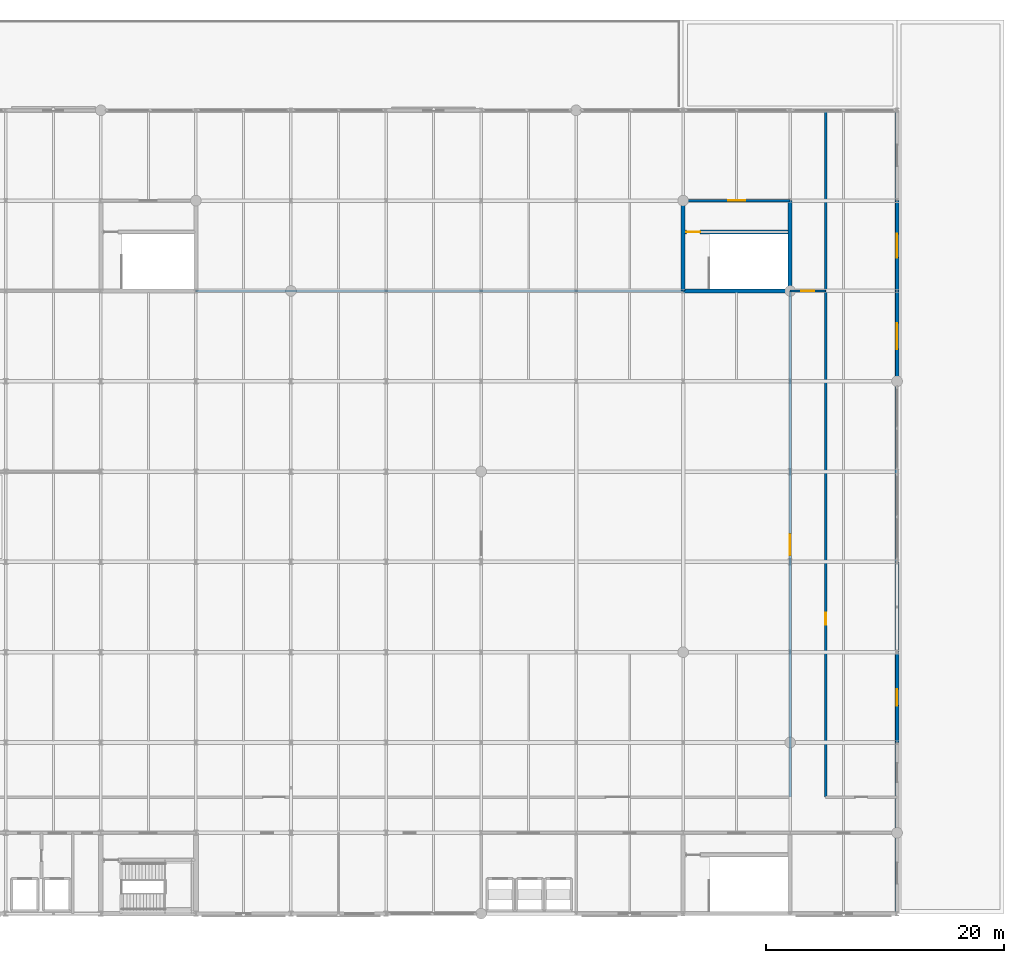
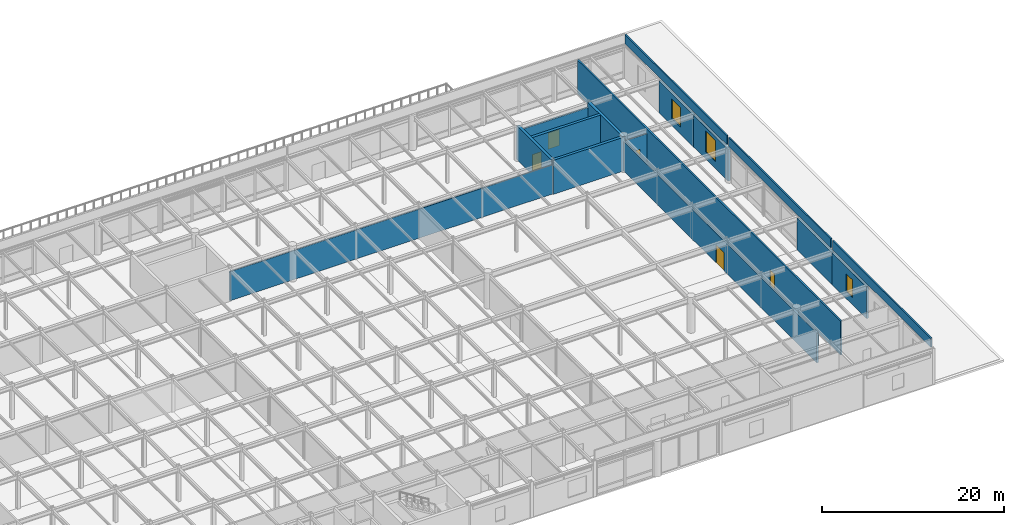
# One storey, part 38 of 43: 16 walls, 5 doors, 3 windows, 8 openings.
"""IFC4 building model written with IfcOpenShell, lengths in metres."""

from ifc_helpers import new_model, si_unit, direction, frame, frame_2d, origin, place, context, subcontext, project, spatial, rectangle, extrude, material, layer, layer_set, type_object, element, fill, save


model = new_model("IFC4")

# Units and contexts
model_context = context("Model", 3, precision=1e-05, world=origin(), true_north=direction((0.0, 1.0)))
body_context = subcontext(model_context, "Body", "Model", "MODEL_VIEW")
ifc_project = project(units=[si_unit("LENGTHUNIT", "METRE"), si_unit("AREAUNIT", "SQUARE_METRE"), si_unit("VOLUMEUNIT", "CUBIC_METRE"), si_unit("PLANEANGLEUNIT", "RADIAN"), si_unit("MASSUNIT", "GRAM", prefix="KILO")], contexts=[model_context])

# Site, building, storey
site_placement = place(None, origin())
site = spatial("IfcSite", under=ifc_project, at=site_placement, CompositionType="ELEMENT")
building_placement = place(site_placement, origin())
building = spatial("IfcBuilding", under=site, at=building_placement, Name="Shalkamar Park Central Library", CompositionType="ELEMENT")
storey_placement = place(building_placement, frame((0.0, 0.0, 15.60009765625)))
storey = spatial("IfcBuildingStorey", under=building, at=storey_placement, Name="L04", CompositionType="ELEMENT", Elevation=15.60009765625)

# Wall
ifc_material_1 = material(Name="Acoustic insulated reading partition", Category="masonry")
ifc_layer_1 = layer(ifc_material_1, 0.139892578125)
ifc_layer_set_1 = layer_set([ifc_layer_1], Name="AcousticPartition_140")
wall_type_1 = type_object("IfcWallType", Name="Acoustic Partition 140", PredefinedType="PARTITIONING", material=ifc_layer_set_1)
wall_1_placement = place(storey_placement, frame((205.0, 300.800048828125, 0.0), z_axis=(0.0, 0.0, 1.0), x_axis=(1.0, 0.0, 0.0)))
element("IfcWall", 1, at=wall_1_placement, inside=storey, type_object=wall_type_1, Name="Interior Partition WL-INT-L04-025-S2", PredefinedType="PARTITIONING", context=body_context, shape_type="SweptSolid", body=[
    extrude(rectangle(XDim=41.0, YDim=0.139892578125, at=frame_2d((20.5, 0.0))), origin(), (0.0, 0.0, 1.0), 3.89794921875),
])

# Wall, opening, door
wall_2_placement = place(storey_placement, frame((255.0, 300.800048828125, 0.0), z_axis=(0.0, 0.0, 1.0), x_axis=(1.0, 0.0, 0.0)))
wall_2 = element("IfcWall", 2, at=wall_2_placement, inside=storey, type_object=wall_type_1, Name="Interior Partition WL-INT-L04-025-S3", PredefinedType="PARTITIONING", context=body_context, shape_type="SweptSolid", body=[
    extrude(rectangle(XDim=3.0, YDim=0.139892578125, at=frame_2d((1.5, 0.0))), origin(), (0.0, 0.0, 1.0), 3.89794921875),
])
opening_1_placement = place(wall_2_placement, frame((0.949951171875, 0.0, 0.0)))
opening_1 = element("IfcOpeningElement", 3, at=opening_1_placement, cuts=wall_2, Name="Opening DR-L04-028", PredefinedType="OPENING", context=body_context, shape_type="SweptSolid", body=[
    extrude(rectangle(XDim=1.10009765625, YDim=2.10009765625, at=frame_2d((0.550048828125, 1.050048828125))), frame((0.0, 0.0849609375, 0.0), z_axis=(0.0, -1.0, 0.0), x_axis=(1.0, 0.0, 0.0)), (0.0, 0.0, 1.0), 0.169677734375),
])
ifc_material_2 = material(Name="Steel S355", Category="steel")
door_type_1 = type_object("IfcDoorType", Name="Interior Door Single 1100x2100", OperationType="NOTDEFINED", PredefinedType="DOOR", material=ifc_material_2)
door_1_placement = place(opening_1_placement, origin())
door_1 = element("IfcDoor", 4, at=door_1_placement, inside=storey, type_object=door_type_1, Name="East Corridor Terrace Link", OperationType="SINGLE_SWING_LEFT", OverallHeight=2.10009765625, OverallWidth=1.10009765625, PredefinedType="DOOR", context=body_context, shape_type="SweptSolid", body=[
    extrude(rectangle(XDim=1.10009765625, YDim=2.10009765625, at=frame_2d((0.550048828125, 1.050048828125))), frame((0.0, 0.02490234375, 0.0), z_axis=(0.0, -1.0, 0.0), x_axis=(1.0, 0.0, 0.0)), (0.0, 0.0, 1.0), 0.050048828125),
])
fill(opening_1, door_1)

ifc_material_3 = material(Name="Fire-rated corridor partition wall", Category="masonry")
ifc_layer_2 = layer(ifc_material_3, 0.199951171875)
ifc_layer_set_2 = layer_set([ifc_layer_2], Name="CorridorFireWall_200")
wall_type_2 = type_object("IfcWallType", Name="Corridor Fire Wall 200", PredefinedType="PARTITIONING", material=ifc_layer_set_2)
wall_3_placement = place(storey_placement, frame((246.0, 308.39990234375, 0.0), z_axis=(0.0, 0.0, 1.0), x_axis=(1.0, 0.0, 0.0)))
wall_3 = element("IfcWall", 5, at=wall_3_placement, inside=storey, type_object=wall_type_2, Name="CORE-P4 Vestibule North Wall (L04)", PredefinedType="PARTITIONING", context=body_context, shape_type="SweptSolid", body=[
    extrude(rectangle(XDim=9.0, YDim=0.199951171875, at=frame_2d((4.5, 0.0))), origin(), (0.0, 0.0, 1.0), 3.89794921875),
])
opening_2_placement = place(wall_3_placement, frame((3.77490234375, 0.0, 0.0)))
opening_2 = element("IfcOpeningElement", 6, at=opening_2_placement, cuts=wall_3, Name="Opening DR-ST-P4-L04-VEST", PredefinedType="OPENING", context=body_context, shape_type="SweptSolid", body=[
    extrude(rectangle(XDim=1.449951171875, YDim=2.199951171875, at=frame_2d((0.72509765625, 1.10009765625))), frame((0.0, 0.11474609375, 0.0), z_axis=(0.0, -1.0, 0.0), x_axis=(1.0, 0.0, 0.0)), (0.0, 0.0, 1.0), 0.229736328125),
])
door_type_2 = type_object("IfcDoorType", Name="Stair Vestibule Door 1450x2200", OperationType="DOUBLE_DOOR_SINGLE_SWING", PredefinedType="DOOR", material=ifc_material_2)
door_2_placement = place(opening_2_placement, frame((1.449951171875, 0.0, 0.0), z_axis=(0.0, 0.0, 1.0), x_axis=(-1.0, 0.0, 0.0)))
door_2 = element("IfcDoor", 7, at=door_2_placement, inside=storey, type_object=door_type_2, Name="Protected Stair ST-P4 Vestibule Door (L04)", OperationType="DOUBLE_DOOR_SINGLE_SWING", OverallHeight=2.199951171875, OverallWidth=1.449951171875, PredefinedType="DOOR", context=body_context, shape_type="SweptSolid", body=[
    extrude(rectangle(XDim=1.449951171875, YDim=2.199951171875, at=frame_2d((0.72509765625, 1.10009765625))), frame((0.0, 0.02490234375, 0.0), z_axis=(0.0, -1.0, 0.0), x_axis=(1.0, 0.0, 0.0)), (0.0, 0.0, 1.0), 0.050048828125),
])
fill(opening_2, door_2)

wall_4_placement = place(storey_placement, frame((255.0, 258.199951171875, 0.0), z_axis=(0.0, 0.0, 1.0), x_axis=(0.0, 1.0, 0.0)))
wall_4 = element("IfcWall", 8, at=wall_4_placement, inside=storey, type_object=wall_type_2, Name="Interior Partition WL-INT-L04-022", PredefinedType="PARTITIONING", context=body_context, shape_type="SweptSolid", body=[
    extrude(rectangle(XDim=42.60009765625, YDim=0.199951171875, at=frame_2d((21.300048828125, 0.0))), origin(), (0.0, 0.0, 1.0), 3.997802734375),
])
opening_3_placement = place(wall_4_placement, frame((20.340087890625, 0.0, 0.0)))
opening_3 = element("IfcOpeningElement", 9, at=opening_3_placement, cuts=wall_4, Name="Opening DR-L04-023", PredefinedType="OPENING", context=body_context, shape_type="SweptSolid", body=[
    extrude(rectangle(XDim=1.800048828125, YDim=2.39990234375, at=frame_2d((0.89990234375, 1.199951171875))), frame((0.0, 0.11474609375, 0.0), z_axis=(0.0, -1.0, 0.0), x_axis=(1.0, 0.0, 0.0)), (0.0, 0.0, 1.0), 0.229736328125),
])
door_type_3 = type_object("IfcDoorType", Name="Interior Door Double 1800x2400", OperationType="DOUBLE_DOOR_SINGLE_SWING", PredefinedType="DOOR", material=ifc_material_2)
door_3_placement = place(opening_3_placement, origin())
door_3 = element("IfcDoor", 10, at=door_3_placement, inside=storey, type_object=door_type_3, Name="Grand Reading Hall East Portal", OperationType="DOUBLE_DOOR_SINGLE_SWING", OverallHeight=2.39990234375, OverallWidth=1.800048828125, PredefinedType="DOOR", context=body_context, shape_type="SweptSolid", body=[
    extrude(rectangle(XDim=1.800048828125, YDim=2.39990234375, at=frame_2d((0.89990234375, 1.199951171875))), frame((0.0, 0.02490234375, 0.0), z_axis=(0.0, -1.0, 0.0), x_axis=(1.0, 0.0, 0.0)), (0.0, 0.0, 1.0), 0.050048828125),
])
fill(opening_3, door_3)

wall_5_placement = place(storey_placement, frame((258.0, 258.199951171875, 0.0), z_axis=(0.0, 0.0, 1.0), x_axis=(0.0, 1.0, 0.0)))
wall_5 = element("IfcWall", 11, at=wall_5_placement, inside=storey, type_object=wall_type_2, Name="Interior Partition WL-INT-L04-023", PredefinedType="PARTITIONING", context=body_context, shape_type="SweptSolid", body=[
    extrude(rectangle(XDim=57.800048828125, YDim=0.199951171875, at=frame_2d((28.89990234375, 0.0))), origin(), (0.0, 0.0, 1.0), 4.5498046875),
])
opening_4_placement = place(wall_5_placement, frame((14.5, 0.0, 0.0)))
opening_4 = element("IfcOpeningElement", 12, at=opening_4_placement, cuts=wall_5, Name="Opening DR-L04-024", PredefinedType="OPENING", context=body_context, shape_type="SweptSolid", body=[
    extrude(rectangle(XDim=1.0, YDim=2.10009765625, at=frame_2d((0.5, 1.050048828125))), frame((0.0, 0.11474609375, 0.0), z_axis=(0.0, -1.0, 0.0), x_axis=(1.0, 0.0, 0.0)), (0.0, 0.0, 1.0), 0.229736328125),
])
door_type_4 = type_object("IfcDoorType", Name="Interior Door Single 1000x2100", OperationType="NOTDEFINED", PredefinedType="DOOR", material=ifc_material_2)
door_4_placement = place(opening_4_placement, frame((1.0, 0.0, 0.0), z_axis=(0.0, 0.0, 1.0), x_axis=(-1.0, 0.0, 0.0)))
door_4 = element("IfcDoor", 13, at=door_4_placement, inside=storey, type_object=door_type_4, Name="Curatorial Study Office Door", OperationType="SINGLE_SWING_RIGHT", OverallHeight=2.10009765625, OverallWidth=1.0, PredefinedType="DOOR", context=body_context, shape_type="SweptSolid", body=[
    extrude(rectangle(XDim=1.0, YDim=2.10009765625, at=frame_2d((0.5, 1.050048828125))), frame((0.0, 0.02490234375, 0.0), z_axis=(0.0, -1.0, 0.0), x_axis=(1.0, 0.0, 0.0)), (0.0, 0.0, 1.0), 0.050048828125),
])
fill(opening_4, door_4)

# Walls
ifc_material_4 = material(Name="Concrete C40/50", Category="concrete")
ifc_layer_3 = layer(ifc_material_4, 0.35009765625)
ifc_layer_set_3 = layer_set([ifc_layer_3], Name="Concrete C40/50")
wall_type_3 = type_object("IfcWallType", Name="Podium Core Shear Wall 350", PredefinedType="SHEAR", material=ifc_layer_set_3)
wall_6_placement = place(storey_placement, frame((246.0, 300.800048828125, 0.0), z_axis=(0.0, 0.0, 1.0), x_axis=(1.0, 0.0, 0.0)))
element("IfcWall", 14, at=wall_6_placement, inside=storey, type_object=wall_type_3, Name="CORE-P4 South Shear Wall (L04)", PredefinedType="SHEAR", context=body_context, shape_type="SweptSolid", body=[
    extrude(rectangle(XDim=9.0, YDim=0.35009765625, at=frame_2d((4.5, 0.0))), origin(), (0.0, 0.0, 1.0), 4.5498046875),
])
for number, where, z_axis, x_axis, name in (
    (15, (246.0, 300.800048828125, 0.0), (0.0, 0.0, 1.0), (0.0, 1.0, 0.0), "CORE-P4 West Shear Wall (L04)"),
    (16, (255.0, 300.800048828125, 0.0), (0.0, 0.0, 1.0), (0.0, 1.0, 0.0), "CORE-P4 East Shear Wall (L04)"),
):
    element("IfcWall", number, at=place(storey_placement, frame(where, z_axis=z_axis, x_axis=x_axis)), inside=storey, type_object=wall_type_3, Name=name, PredefinedType="SHEAR", context=body_context, shape_type="SweptSolid", body=[
        extrude(rectangle(XDim=7.599853515625, YDim=0.35009765625, at=frame_2d((3.7998046875, 0.0))), origin(), (0.0, 0.0, 1.0), 4.5498046875),
    ])

# Wall, opening, door
wall_7_placement = place(storey_placement, frame((246.0, 305.75, 0.0), z_axis=(0.0, 0.0, 1.0), x_axis=(1.0, 0.0, 0.0)))
wall_7 = element("IfcWall", 17, at=wall_7_placement, inside=storey, type_object=wall_type_3, Name="CORE-P4 Stairwell Wall (L04)", PredefinedType="SHEAR", context=body_context, shape_type="SweptSolid", body=[
    extrude(rectangle(XDim=9.0, YDim=0.35009765625, at=frame_2d((4.5, 0.0))), origin(), (0.0, 0.0, 1.0), 4.5498046875),
])
opening_5_placement = place(wall_7_placement, frame((0.27490234375, 0.0, 0.0)))
opening_5 = element("IfcOpeningElement", 18, at=opening_5_placement, cuts=wall_7, Name="Opening DR-ST-P4-L04-IN", PredefinedType="OPENING", context=body_context, shape_type="SweptSolid", body=[
    extrude(rectangle(XDim=1.14990234375, YDim=2.14990234375, at=frame_2d((0.574951171875, 1.074951171875))), frame((0.0, 0.18994140625, 0.0), z_axis=(0.0, -1.0, 0.0), x_axis=(1.0, 0.0, 0.0)), (0.0, 0.0, 1.0), 0.3798828125),
])
door_type_5 = type_object("IfcDoorType", Name="Stair Core Exit Door 1150x2150", OperationType="NOTDEFINED", PredefinedType="DOOR", material=ifc_material_2)
door_5_placement = place(opening_5_placement, frame((1.14990234375, 0.0, 0.0), z_axis=(0.0, 0.0, 1.0), x_axis=(-1.0, 0.0, 0.0)))
door_5 = element("IfcDoor", 19, at=door_5_placement, inside=storey, type_object=door_type_5, Name="Protected Stair ST-P4 Exit Door (L04)", OperationType="SINGLE_SWING_RIGHT", OverallHeight=2.14990234375, OverallWidth=1.14990234375, PredefinedType="DOOR", context=body_context, shape_type="SweptSolid", body=[
    extrude(rectangle(XDim=1.14990234375, YDim=2.14990234375, at=frame_2d((0.574951171875, 1.074951171875))), frame((0.0, 0.02490234375, 0.0), z_axis=(0.0, -1.0, 0.0), x_axis=(1.0, 0.0, 0.0)), (0.0, 0.0, 1.0), 0.050048828125),
])
fill(opening_5, door_5)

# Walls
ifc_material_5 = material(Name="Concrete C35/45 precast", Category="concrete")
ifc_layer_4 = layer(ifc_material_5, 0.179931640625)
ifc_layer_set_4 = layer_set([ifc_layer_4], Name="Concrete C35/45 precast")
wall_type_4 = type_object("IfcWallType", Name="Roof Parapet Wall 180", PredefinedType="PARAPET", material=ifc_layer_set_4)
wall_8_placement = place(storey_placement, frame((263.89990234375, 248.60009765625, 4.7998046875), z_axis=(0.0, 0.0, 1.0), x_axis=(0.0, 1.0, 0.0)))
element("IfcWall", 20, at=wall_8_placement, inside=storey, type_object=wall_type_4, Name="Roof Parapet Wall L04-31", PredefinedType="PARAPET", context=body_context, shape_type="SweptSolid", body=[
    extrude(rectangle(XDim=21.599853515625, YDim=0.179931640625, at=frame_2d((10.7998046875, 0.0))), origin(), (0.0, 0.0, 1.0), 1.2001953125),
])
wall_9_placement = place(storey_placement, frame((263.89990234375, 270.60009765625, 4.7998046875), z_axis=(0.0, 0.0, 1.0), x_axis=(0.0, 1.0, 0.0)))
element("IfcWall", 21, at=wall_9_placement, inside=storey, type_object=wall_type_4, Name="Roof Parapet Wall L04-32", PredefinedType="PARAPET", context=body_context, shape_type="SweptSolid", body=[
    extrude(rectangle(XDim=22.39990234375, YDim=0.179931640625, at=frame_2d((11.199951171875, 0.0))), origin(), (0.0, 0.0, 1.0), 1.2001953125),
])
wall_10_placement = place(storey_placement, frame((263.89990234375, 293.39990234375, 4.7998046875), z_axis=(0.0, 0.0, 1.0), x_axis=(0.0, 1.0, 0.0)))
element("IfcWall", 22, at=wall_10_placement, inside=storey, type_object=wall_type_4, Name="Roof Parapet Wall L04-34", PredefinedType="PARAPET", context=body_context, shape_type="SweptSolid", body=[
    extrude(rectangle(XDim=22.400146484375, YDim=0.179931640625, at=frame_2d((11.2001953125, 0.0))), origin(), (0.0, 0.0, 1.0), 1.2001953125),
])

# Wall, opening, window
ifc_material_6 = material(Name="Travertine insulated rainscreen", Category="masonry")
ifc_layer_5 = layer(ifc_material_6, 0.2900390625)
ifc_layer_set_5 = layer_set([ifc_layer_5], Name="TravertineTerracottaWall_290")
wall_type_5 = type_object("IfcWallType", Name="Travertine Terracotta Wall 290", PredefinedType="SOLIDWALL", material=ifc_layer_set_5)
wall_11_placement = place(storey_placement, frame((264.0, 262.805908203125, 0.0), z_axis=(0.0, 0.0, 1.0), x_axis=(0.0, 1.0, 0.0)))
wall_11 = element("IfcWall", 23, at=wall_11_placement, inside=storey, type_object=wall_type_5, Name="Exterior Facade Wall WL-EXT-L04-123", PredefinedType="SOLIDWALL", context=body_context, shape_type="SweptSolid", body=[
    extrude(rectangle(XDim=7.588134765625, YDim=0.2900390625, at=frame_2d((3.7939453125, 0.0))), origin(), (0.0, 0.0, 1.0), 4.27783203125),
])
opening_6_placement = place(wall_11_placement, frame((3.093994140625, 0.0, 0.949951171875)))
opening_6 = element("IfcOpeningElement", 24, at=opening_6_placement, cuts=wall_11, Name="Opening WN-08", PredefinedType="OPENING", context=body_context, shape_type="SweptSolid", body=[
    extrude(rectangle(XDim=1.39990234375, YDim=2.39990234375, at=frame_2d((0.699951171875, 1.199951171875))), frame((0.0, 0.159912109375, 0.0), z_axis=(0.0, -1.0, 0.0), x_axis=(1.0, 0.0, 0.0)), (0.0, 0.0, 1.0), 0.31982421875),
])
ifc_material_7 = material(Name="Thermally broken aluminium and triple low-e glass", Category="glass")
window_type_1 = type_object("IfcWindowType", Name="Podium Window 1400x2400", PartitioningType="SINGLE_PANEL", PredefinedType="WINDOW", material=ifc_material_7)
window_1_placement = place(opening_6_placement, origin())
window_1 = element("IfcWindow", 25, at=window_1_placement, inside=storey, type_object=window_type_1, Name="Facade Window WN-L04-081", OverallHeight=2.39990234375, OverallWidth=1.39990234375, PartitioningType="SINGLE_PANEL", PredefinedType="WINDOW", context=body_context, shape_type="SweptSolid", body=[
    extrude(rectangle(XDim=1.39990234375, YDim=2.39990234375, at=frame_2d((0.699951171875, 1.199951171875))), frame((0.0, 0.030029296875, 0.0), z_axis=(0.0, -1.0, 0.0), x_axis=(1.0, 0.0, 0.0)), (0.0, 0.0, 1.0), 0.06005859375),
])
fill(opening_6, window_1)

# Wall
wall_12_placement = place(storey_placement, frame((264.0, 270.406005859375, 0.0), z_axis=(0.0, 0.0, 1.0), x_axis=(0.0, 1.0, 0.0)))
element("IfcWall", 26, at=wall_12_placement, inside=storey, type_object=wall_type_5, Name="Exterior Facade Wall WL-EXT-L04-124", PredefinedType="SOLIDWALL", context=body_context, shape_type="SweptSolid", body=[
    extrude(rectangle(XDim=7.587890625, YDim=0.2900390625, at=frame_2d((3.7939453125, 0.0))), origin(), (0.0, 0.0, 1.0), 4.27783203125),
])

# Wall, opening, window
wall_13_placement = place(storey_placement, frame((264.0, 293.2060546875, 0.0), z_axis=(0.0, 0.0, 1.0), x_axis=(0.0, 1.0, 0.0)))
wall_13 = element("IfcWall", 27, at=wall_13_placement, inside=storey, type_object=wall_type_5, Name="Exterior Facade Wall WL-EXT-L04-125", PredefinedType="SOLIDWALL", context=body_context, shape_type="SweptSolid", body=[
    extrude(rectangle(XDim=7.587890625, YDim=0.2900390625, at=frame_2d((3.7939453125, 0.0))), origin(), (0.0, 0.0, 1.0), 4.27783203125),
])
opening_7_placement = place(wall_13_placement, frame((2.694091796875, 0.0, 0.949951171875)))
opening_7 = element("IfcOpeningElement", 28, at=opening_7_placement, cuts=wall_13, Name="Opening WN-04", PredefinedType="OPENING", context=body_context, shape_type="SweptSolid", body=[
    extrude(rectangle(XDim=2.199951171875, YDim=2.800048828125, at=frame_2d((1.10009765625, 1.39990234375))), frame((0.0, 0.159912109375, 0.0), z_axis=(0.0, -1.0, 0.0), x_axis=(1.0, 0.0, 0.0)), (0.0, 0.0, 1.0), 0.31982421875),
])
window_type_2 = type_object("IfcWindowType", Name="Podium Window 2200x2800", PartitioningType="DOUBLE_PANEL_VERTICAL", PredefinedType="WINDOW", material=ifc_material_7)
window_2_placement = place(opening_7_placement, origin())
window_2 = element("IfcWindow", 29, at=window_2_placement, inside=storey, type_object=window_type_2, Name="Facade Window WN-L04-082", OverallHeight=2.800048828125, OverallWidth=2.199951171875, PartitioningType="DOUBLE_PANEL_VERTICAL", PredefinedType="WINDOW", context=body_context, shape_type="SweptSolid", body=[
    extrude(rectangle(XDim=2.199951171875, YDim=2.800048828125, at=frame_2d((1.10009765625, 1.39990234375))), frame((0.0, 0.030029296875, 0.0), z_axis=(0.0, -1.0, 0.0), x_axis=(1.0, 0.0, 0.0)), (0.0, 0.0, 1.0), 0.06005859375),
])
fill(opening_7, window_2)

wall_14_placement = place(storey_placement, frame((264.0, 300.805908203125, 0.0), z_axis=(0.0, 0.0, 1.0), x_axis=(0.0, 1.0, 0.0)))
wall_14 = element("IfcWall", 30, at=wall_14_placement, inside=storey, type_object=wall_type_5, Name="Exterior Facade Wall WL-EXT-L04-126", PredefinedType="SOLIDWALL", context=body_context, shape_type="SweptSolid", body=[
    extrude(rectangle(XDim=7.588134765625, YDim=0.2900390625, at=frame_2d((3.7939453125, 0.0))), origin(), (0.0, 0.0, 1.0), 4.27783203125),
])
opening_8_placement = place(wall_14_placement, frame((2.7939453125, 0.0, 0.949951171875)))
opening_8 = element("IfcOpeningElement", 31, at=opening_8_placement, cuts=wall_14, Name="Opening WN-05", PredefinedType="OPENING", context=body_context, shape_type="SweptSolid", body=[
    extrude(rectangle(XDim=2.0, YDim=2.60009765625, at=frame_2d((1.0, 1.300048828125))), frame((0.0, 0.159912109375, 0.0), z_axis=(0.0, -1.0, 0.0), x_axis=(1.0, 0.0, 0.0)), (0.0, 0.0, 1.0), 0.31982421875),
])
window_type_3 = type_object("IfcWindowType", Name="Podium Window 2000x2600", PartitioningType="DOUBLE_PANEL_VERTICAL", PredefinedType="WINDOW", material=ifc_material_7)
window_3_placement = place(opening_8_placement, origin())
window_3 = element("IfcWindow", 32, at=window_3_placement, inside=storey, type_object=window_type_3, Name="Facade Window WN-L04-083", OverallHeight=2.60009765625, OverallWidth=2.0, PartitioningType="DOUBLE_PANEL_VERTICAL", PredefinedType="WINDOW", context=body_context, shape_type="SweptSolid", body=[
    extrude(rectangle(XDim=2.0, YDim=2.60009765625, at=frame_2d((1.0, 1.300048828125))), frame((0.0, 0.030029296875, 0.0), z_axis=(0.0, -1.0, 0.0), x_axis=(1.0, 0.0, 0.0)), (0.0, 0.0, 1.0), 0.06005859375),
])
fill(opening_8, window_3)

save(model, "model.ifc")
